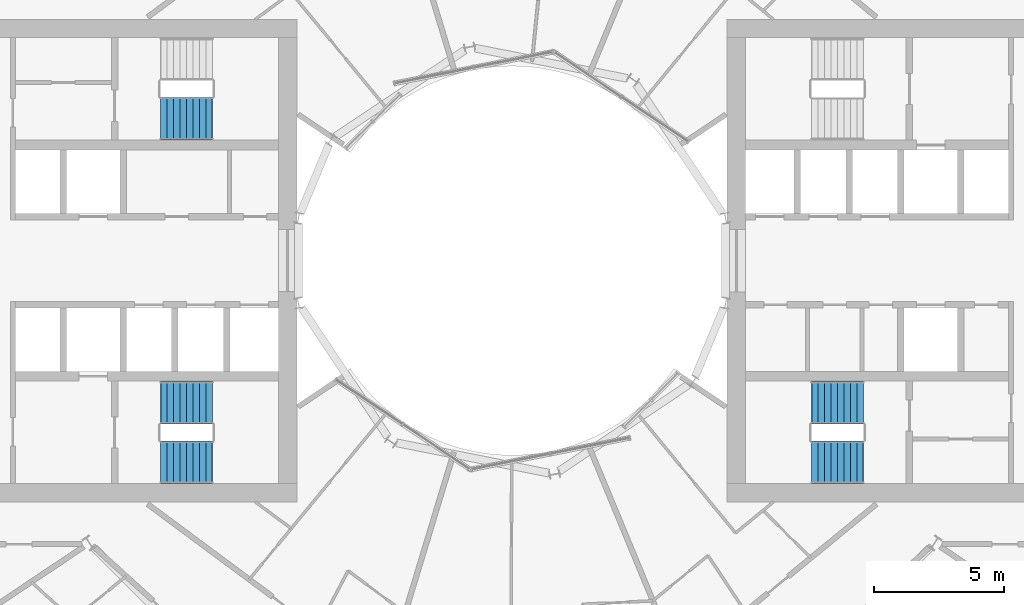
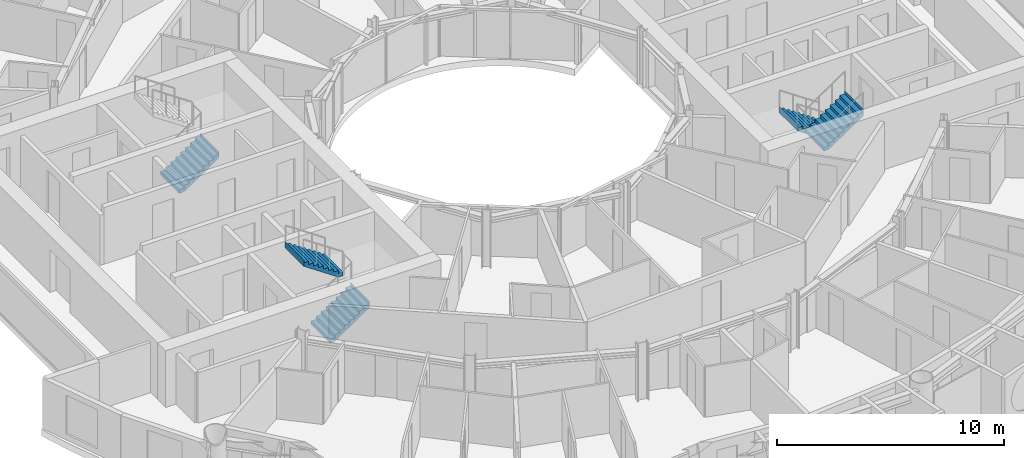
# One storey, part 23 of 26: 5 stair flights, 3 elements without a shape of their own.
"""IFC4 building model written with IfcOpenShell, lengths in metres."""

from ifc_helpers import new_model, si_unit, direction, frame, origin, place, context, subcontext, project, spatial, triangles, material, type_object, element, aggregate, save


model = new_model("IFC4")

# Units and contexts
model_context = context("Model", 3, precision=1e-05, world=origin(), true_north=direction((0.0, 1.0)))
body_context = subcontext(model_context, "Body", "Model", "MODEL_VIEW")
ifc_project = project(units=[si_unit("LENGTHUNIT", "METRE"), si_unit("AREAUNIT", "SQUARE_METRE"), si_unit("VOLUMEUNIT", "CUBIC_METRE"), si_unit("PLANEANGLEUNIT", "RADIAN"), si_unit("MASSUNIT", "GRAM", prefix="KILO")], contexts=[model_context])

# Site, building, storey
site_placement = place(None, origin())
site = spatial("IfcSite", under=ifc_project, at=site_placement, CompositionType="ELEMENT")
building_placement = place(site_placement, origin())
building = spatial("IfcBuilding", under=site, at=building_placement, Name="Maasbend Ring Residences", CompositionType="ELEMENT")
storey_placement = place(building_placement, frame((0.0, 0.0, 81.89990234375)))
storey = spatial("IfcBuildingStorey", under=building, at=storey_placement, Name="L23", CompositionType="ELEMENT", Elevation=81.89990234375)

# Stair, stair flights
ifc_material_1 = material(Name="Concrete C40/50", Category="concrete")
stair_type = type_object("IfcStairType", Name="CORE STAIR 18 RISERS", PredefinedType="HALF_TURN_STAIR", material=ifc_material_1)
stair_1_placement = place(storey_placement, origin())
stair_1 = element("IfcStair", 1, at=stair_1_placement, inside=storey, type_object=stair_type, Name="L23 Exit stair ST-E2", PredefinedType="HALF_TURN_STAIR")
ifc_material_2 = material(Name="Concrete C40/50", Category="concrete")
stair_flight_type = type_object("IfcStairFlightType", Name="CORE STAIR FLIGHT 1650", PredefinedType="STRAIGHT", material=ifc_material_2)
stair_flight_1_placement = place(storey_placement, frame((13.550048828125, -5.47509765625, 0.0), z_axis=(0.0, 0.0, 1.0), x_axis=(-1.0, 0.0, 0.0)))
stair_flight_1 = element("IfcStairFlight", 2, at=stair_flight_1_placement, type_object=stair_flight_type, Name="ST-E2 flight 1", NumberOfRisers=9, NumberOfTreads=8, PredefinedType="STRAIGHT", RiserHeight=0.169444444, TreadLength=0.25, context=body_context, shape_type="Tessellation", body=[
    triangles([(0.24072265625, 0.824951171875, -0.02001953125), (2.0029296875, 0.824951171875, 1.174560546875), (2.0029296875, 0.824951171875, 1.52490234375), (1.989990234375, 0.824951171875, 1.35546875), (1.75, 0.824951171875, 1.35546875), (1.75, 0.824951171875, 1.18603515625), (1.5, 0.824951171875, 1.18603515625), (1.5, 0.824951171875, 1.0166015625), (1.25, 0.824951171875, 1.0166015625), (1.25, 0.824951171875, 0.84716796875), (1.0, 0.824951171875, 0.84716796875), (1.0, 0.824951171875, 0.677734375), (0.75, 0.824951171875, 0.677734375), (0.75, 0.824951171875, 0.50830078125), (0.5, 0.824951171875, 0.50830078125), (0.5, 0.824951171875, 0.3388671875), (0.25, 0.824951171875, 0.3388671875), (0.25, 0.824951171875, 0.16943359375), (0.0, 0.824951171875, 0.16943359375), (0.0, 0.824951171875, 0.0), (-0.0029296875, 0.824951171875, 0.0), (-0.0029296875, 0.824951171875, -0.02001953125), (0.24072265625, 0.27490234375, -0.02001953125), (2.0029296875, 0.27490234375, 1.174560546875), (2.0029296875, 0.27490234375, 1.52490234375), (1.989990234375, 0.27490234375, 1.35546875), (1.75, 0.27490234375, 1.35546875), (1.75, 0.27490234375, 1.18603515625), (1.5, 0.27490234375, 1.18603515625), (1.5, 0.27490234375, 1.0166015625), (1.25, 0.27490234375, 1.0166015625), (1.25, 0.27490234375, 0.84716796875), (1.0, 0.27490234375, 0.84716796875), (1.0, 0.27490234375, 0.677734375), (0.75, 0.27490234375, 0.677734375), (0.75, 0.27490234375, 0.50830078125), (0.5, 0.27490234375, 0.50830078125), (0.5, 0.27490234375, 0.3388671875), (0.25, 0.27490234375, 0.3388671875), (0.25, 0.27490234375, 0.16943359375), (0.0, 0.27490234375, 0.16943359375), (0.0, 0.27490234375, 0.0), (-0.0029296875, 0.27490234375, 0.0), (-0.0029296875, 0.27490234375, -0.02001953125), (0.24072265625, -0.27490234375, -0.02001953125), (2.0029296875, -0.27490234375, 1.174560546875), (2.0029296875, -0.27490234375, 1.52490234375), (1.989990234375, -0.27490234375, 1.35546875), (1.75, -0.27490234375, 1.35546875), (1.75, -0.27490234375, 1.18603515625), (1.5, -0.27490234375, 1.18603515625), (1.5, -0.27490234375, 1.0166015625), (1.25, -0.27490234375, 1.0166015625), (1.25, -0.27490234375, 0.84716796875), (1.0, -0.27490234375, 0.84716796875), (1.0, -0.27490234375, 0.677734375), (0.75, -0.27490234375, 0.677734375), (0.75, -0.27490234375, 0.50830078125), (0.5, -0.27490234375, 0.50830078125), (0.5, -0.27490234375, 0.3388671875), (0.25, -0.27490234375, 0.3388671875), (0.25, -0.27490234375, 0.16943359375), (0.0, -0.27490234375, 0.16943359375), (0.0, -0.27490234375, 0.0), (-0.0029296875, -0.27490234375, 0.0), (-0.0029296875, -0.27490234375, -0.02001953125), (0.24072265625, -0.824951171875, -0.02001953125), (2.0029296875, -0.824951171875, 1.174560546875), (2.0029296875, -0.824951171875, 1.52490234375), (1.989990234375, -0.824951171875, 1.35546875), (1.75, -0.824951171875, 1.35546875), (1.75, -0.824951171875, 1.18603515625), (1.5, -0.824951171875, 1.18603515625), (1.5, -0.824951171875, 1.0166015625), (1.25, -0.824951171875, 1.0166015625), (1.25, -0.824951171875, 0.84716796875), (1.0, -0.824951171875, 0.84716796875), (1.0, -0.824951171875, 0.677734375), (0.75, -0.824951171875, 0.677734375), (0.75, -0.824951171875, 0.50830078125), (0.5, -0.824951171875, 0.50830078125), (0.5, -0.824951171875, 0.3388671875), (0.25, -0.824951171875, 0.3388671875), (0.25, -0.824951171875, 0.16943359375), (0.0, -0.824951171875, 0.16943359375), (0.0, -0.824951171875, 0.0), (-0.0029296875, -0.824951171875, 0.0), (-0.0029296875, -0.824951171875, -0.02001953125)], [[1, 2, 24], [1, 24, 23], [23, 24, 46], [23, 46, 45], [45, 46, 68], [45, 68, 67], [2, 3, 25], [2, 25, 24], [24, 25, 47], [24, 47, 46], [46, 47, 69], [46, 69, 68], [3, 4, 26], [3, 26, 25], [25, 26, 48], [25, 48, 47], [47, 48, 70], [47, 70, 69], [4, 5, 27], [4, 27, 26], [26, 27, 49], [26, 49, 48], [48, 49, 71], [48, 71, 70], [5, 6, 28], [5, 28, 27], [27, 28, 50], [27, 50, 49], [49, 50, 72], [49, 72, 71], [6, 7, 29], [6, 29, 28], [28, 29, 51], [28, 51, 50], [50, 51, 73], [50, 73, 72], [7, 8, 30], [7, 30, 29], [29, 30, 52], [29, 52, 51], [51, 52, 74], [51, 74, 73], [8, 9, 31], [8, 31, 30], [30, 31, 53], [30, 53, 52], [52, 53, 75], [52, 75, 74], [9, 10, 32], [9, 32, 31], [31, 32, 54], [31, 54, 53], [53, 54, 76], [53, 76, 75], [10, 11, 33], [10, 33, 32], [32, 33, 55], [32, 55, 54], [54, 55, 77], [54, 77, 76], [11, 12, 34], [11, 34, 33], [33, 34, 56], [33, 56, 55], [55, 56, 78], [55, 78, 77], [12, 13, 35], [12, 35, 34], [34, 35, 57], [34, 57, 56], [56, 57, 79], [56, 79, 78], [13, 14, 36], [13, 36, 35], [35, 36, 58], [35, 58, 57], [57, 58, 80], [57, 80, 79], [14, 15, 37], [14, 37, 36], [36, 37, 59], [36, 59, 58], [58, 59, 81], [58, 81, 80], [15, 16, 38], [15, 38, 37], [37, 38, 60], [37, 60, 59], [59, 60, 82], [59, 82, 81], [16, 17, 39], [16, 39, 38], [38, 39, 61], [38, 61, 60], [60, 61, 83], [60, 83, 82], [17, 18, 40], [17, 40, 39], [39, 40, 62], [39, 62, 61], [61, 62, 84], [61, 84, 83], [18, 19, 41], [18, 41, 40], [40, 41, 63], [40, 63, 62], [62, 63, 85], [62, 85, 84], [19, 20, 42], [19, 42, 41], [41, 42, 64], [41, 64, 63], [63, 64, 86], [63, 86, 85], [20, 21, 43], [20, 43, 42], [42, 43, 65], [42, 65, 64], [64, 65, 87], [64, 87, 86], [21, 22, 44], [21, 44, 43], [43, 44, 66], [43, 66, 65], [65, 66, 88], [65, 88, 87], [22, 1, 23], [22, 23, 44], [44, 23, 45], [44, 45, 66], [66, 45, 67], [66, 67, 88], [22, 2, 1], [2, 4, 3], [2, 5, 4], [2, 6, 5], [22, 6, 2], [6, 8, 7], [22, 8, 6], [8, 10, 9], [22, 10, 8], [10, 12, 11], [22, 12, 10], [12, 14, 13], [22, 14, 12], [14, 16, 15], [22, 16, 14], [16, 18, 17], [22, 18, 16], [18, 20, 19], [22, 20, 18], [20, 22, 21], [88, 67, 68], [68, 69, 70], [68, 70, 71], [68, 71, 72], [88, 68, 72], [72, 73, 74], [88, 72, 74], [74, 75, 76], [88, 74, 76], [76, 77, 78], [88, 76, 78], [78, 79, 80], [88, 78, 80], [80, 81, 82], [88, 80, 82], [82, 83, 84], [88, 82, 84], [84, 85, 86], [88, 84, 86], [86, 87, 88]], closed=True),
])
stair_flight_2_placement = place(storey_placement, frame((11.550048828125, -7.77490234375, 1.525146484375), z_axis=(0.0, 0.0, 1.0), x_axis=(1.0, 0.0, 0.0)))
stair_flight_2 = element("IfcStairFlight", 3, at=stair_flight_2_placement, type_object=stair_flight_type, Name="ST-E2 flight 2", NumberOfRisers=9, NumberOfTreads=8, PredefinedType="STRAIGHT", RiserHeight=0.169444444, TreadLength=0.25, context=body_context, shape_type="Tessellation", body=[
    triangles([(0.24072265625, 0.824951171875, -0.02001953125), (2.0029296875, 0.824951171875, 1.174560546875), (2.0029296875, 0.824951171875, 1.52490234375), (1.989990234375, 0.824951171875, 1.35546875), (1.75, 0.824951171875, 1.35546875), (1.75, 0.824951171875, 1.18603515625), (1.5, 0.824951171875, 1.18603515625), (1.5, 0.824951171875, 1.0166015625), (1.25, 0.824951171875, 1.0166015625), (1.25, 0.824951171875, 0.84716796875), (1.0, 0.824951171875, 0.84716796875), (1.0, 0.824951171875, 0.677734375), (0.75, 0.824951171875, 0.677734375), (0.75, 0.824951171875, 0.50830078125), (0.5, 0.824951171875, 0.50830078125), (0.5, 0.824951171875, 0.3388671875), (0.25, 0.824951171875, 0.3388671875), (0.25, 0.824951171875, 0.16943359375), (0.0, 0.824951171875, 0.16943359375), (0.0, 0.824951171875, 0.0), (-0.0029296875, 0.824951171875, 0.0), (-0.0029296875, 0.824951171875, -0.02001953125), (0.24072265625, 0.27490234375, -0.02001953125), (2.0029296875, 0.27490234375, 1.174560546875), (2.0029296875, 0.27490234375, 1.52490234375), (1.989990234375, 0.27490234375, 1.35546875), (1.75, 0.27490234375, 1.35546875), (1.75, 0.27490234375, 1.18603515625), (1.5, 0.27490234375, 1.18603515625), (1.5, 0.27490234375, 1.0166015625), (1.25, 0.27490234375, 1.0166015625), (1.25, 0.27490234375, 0.84716796875), (1.0, 0.27490234375, 0.84716796875), (1.0, 0.27490234375, 0.677734375), (0.75, 0.27490234375, 0.677734375), (0.75, 0.27490234375, 0.50830078125), (0.5, 0.27490234375, 0.50830078125), (0.5, 0.27490234375, 0.3388671875), (0.25, 0.27490234375, 0.3388671875), (0.25, 0.27490234375, 0.16943359375), (0.0, 0.27490234375, 0.16943359375), (0.0, 0.27490234375, 0.0), (-0.0029296875, 0.27490234375, 0.0), (-0.0029296875, 0.27490234375, -0.02001953125), (0.24072265625, -0.27490234375, -0.02001953125), (2.0029296875, -0.27490234375, 1.174560546875), (2.0029296875, -0.27490234375, 1.52490234375), (1.989990234375, -0.27490234375, 1.35546875), (1.75, -0.27490234375, 1.35546875), (1.75, -0.27490234375, 1.18603515625), (1.5, -0.27490234375, 1.18603515625), (1.5, -0.27490234375, 1.0166015625), (1.25, -0.27490234375, 1.0166015625), (1.25, -0.27490234375, 0.84716796875), (1.0, -0.27490234375, 0.84716796875), (1.0, -0.27490234375, 0.677734375), (0.75, -0.27490234375, 0.677734375), (0.75, -0.27490234375, 0.50830078125), (0.5, -0.27490234375, 0.50830078125), (0.5, -0.27490234375, 0.3388671875), (0.25, -0.27490234375, 0.3388671875), (0.25, -0.27490234375, 0.16943359375), (0.0, -0.27490234375, 0.16943359375), (0.0, -0.27490234375, 0.0), (-0.0029296875, -0.27490234375, 0.0), (-0.0029296875, -0.27490234375, -0.02001953125), (0.24072265625, -0.824951171875, -0.02001953125), (2.0029296875, -0.824951171875, 1.174560546875), (2.0029296875, -0.824951171875, 1.52490234375), (1.989990234375, -0.824951171875, 1.35546875), (1.75, -0.824951171875, 1.35546875), (1.75, -0.824951171875, 1.18603515625), (1.5, -0.824951171875, 1.18603515625), (1.5, -0.824951171875, 1.0166015625), (1.25, -0.824951171875, 1.0166015625), (1.25, -0.824951171875, 0.84716796875), (1.0, -0.824951171875, 0.84716796875), (1.0, -0.824951171875, 0.677734375), (0.75, -0.824951171875, 0.677734375), (0.75, -0.824951171875, 0.50830078125), (0.5, -0.824951171875, 0.50830078125), (0.5, -0.824951171875, 0.3388671875), (0.25, -0.824951171875, 0.3388671875), (0.25, -0.824951171875, 0.16943359375), (0.0, -0.824951171875, 0.16943359375), (0.0, -0.824951171875, 0.0), (-0.0029296875, -0.824951171875, 0.0), (-0.0029296875, -0.824951171875, -0.02001953125)], [[1, 2, 24], [1, 24, 23], [23, 24, 46], [23, 46, 45], [45, 46, 68], [45, 68, 67], [2, 3, 25], [2, 25, 24], [24, 25, 47], [24, 47, 46], [46, 47, 69], [46, 69, 68], [3, 4, 26], [3, 26, 25], [25, 26, 48], [25, 48, 47], [47, 48, 70], [47, 70, 69], [4, 5, 27], [4, 27, 26], [26, 27, 49], [26, 49, 48], [48, 49, 71], [48, 71, 70], [5, 6, 28], [5, 28, 27], [27, 28, 50], [27, 50, 49], [49, 50, 72], [49, 72, 71], [6, 7, 29], [6, 29, 28], [28, 29, 51], [28, 51, 50], [50, 51, 73], [50, 73, 72], [7, 8, 30], [7, 30, 29], [29, 30, 52], [29, 52, 51], [51, 52, 74], [51, 74, 73], [8, 9, 31], [8, 31, 30], [30, 31, 53], [30, 53, 52], [52, 53, 75], [52, 75, 74], [9, 10, 32], [9, 32, 31], [31, 32, 54], [31, 54, 53], [53, 54, 76], [53, 76, 75], [10, 11, 33], [10, 33, 32], [32, 33, 55], [32, 55, 54], [54, 55, 77], [54, 77, 76], [11, 12, 34], [11, 34, 33], [33, 34, 56], [33, 56, 55], [55, 56, 78], [55, 78, 77], [12, 13, 35], [12, 35, 34], [34, 35, 57], [34, 57, 56], [56, 57, 79], [56, 79, 78], [13, 14, 36], [13, 36, 35], [35, 36, 58], [35, 58, 57], [57, 58, 80], [57, 80, 79], [14, 15, 37], [14, 37, 36], [36, 37, 59], [36, 59, 58], [58, 59, 81], [58, 81, 80], [15, 16, 38], [15, 38, 37], [37, 38, 60], [37, 60, 59], [59, 60, 82], [59, 82, 81], [16, 17, 39], [16, 39, 38], [38, 39, 61], [38, 61, 60], [60, 61, 83], [60, 83, 82], [17, 18, 40], [17, 40, 39], [39, 40, 62], [39, 62, 61], [61, 62, 84], [61, 84, 83], [18, 19, 41], [18, 41, 40], [40, 41, 63], [40, 63, 62], [62, 63, 85], [62, 85, 84], [19, 20, 42], [19, 42, 41], [41, 42, 64], [41, 64, 63], [63, 64, 86], [63, 86, 85], [20, 21, 43], [20, 43, 42], [42, 43, 65], [42, 65, 64], [64, 65, 87], [64, 87, 86], [21, 22, 44], [21, 44, 43], [43, 44, 66], [43, 66, 65], [65, 66, 88], [65, 88, 87], [22, 1, 23], [22, 23, 44], [44, 23, 45], [44, 45, 66], [66, 45, 67], [66, 67, 88], [22, 2, 1], [2, 4, 3], [2, 5, 4], [2, 6, 5], [22, 6, 2], [6, 8, 7], [22, 8, 6], [8, 10, 9], [22, 10, 8], [10, 12, 11], [22, 12, 10], [12, 14, 13], [22, 14, 12], [14, 16, 15], [22, 16, 14], [16, 18, 17], [22, 18, 16], [18, 20, 19], [22, 20, 18], [20, 22, 21], [88, 67, 68], [68, 69, 70], [68, 70, 71], [68, 71, 72], [88, 68, 72], [72, 73, 74], [88, 72, 74], [74, 75, 76], [88, 74, 76], [76, 77, 78], [88, 76, 78], [78, 79, 80], [88, 78, 80], [80, 81, 82], [88, 80, 82], [82, 83, 84], [88, 82, 84], [84, 85, 86], [88, 84, 86], [86, 87, 88]], closed=True),
])
aggregate(stair_1, [stair_flight_1, stair_flight_2])

stair_2_placement = place(storey_placement, origin())
stair_2 = element("IfcStair", 4, at=stair_2_placement, inside=storey, type_object=stair_type, Name="L23 Exit stair ST-W1", PredefinedType="HALF_TURN_STAIR")
stair_flight_3_placement = place(storey_placement, frame((-13.550048828125, -7.77490234375, 0.0), z_axis=(0.0, 0.0, 1.0), x_axis=(1.0, 0.0, 0.0)))
stair_flight_3 = element("IfcStairFlight", 5, at=stair_flight_3_placement, type_object=stair_flight_type, Name="ST-W1 flight 1", NumberOfRisers=9, NumberOfTreads=8, PredefinedType="STRAIGHT", RiserHeight=0.169444444, TreadLength=0.25, context=body_context, shape_type="Tessellation", body=[
    triangles([(0.24072265625, 0.824951171875, -0.02001953125), (2.0029296875, 0.824951171875, 1.174560546875), (2.0029296875, 0.824951171875, 1.52490234375), (1.989990234375, 0.824951171875, 1.35546875), (1.75, 0.824951171875, 1.35546875), (1.75, 0.824951171875, 1.18603515625), (1.5, 0.824951171875, 1.18603515625), (1.5, 0.824951171875, 1.0166015625), (1.25, 0.824951171875, 1.0166015625), (1.25, 0.824951171875, 0.84716796875), (1.0, 0.824951171875, 0.84716796875), (1.0, 0.824951171875, 0.677734375), (0.75, 0.824951171875, 0.677734375), (0.75, 0.824951171875, 0.50830078125), (0.5, 0.824951171875, 0.50830078125), (0.5, 0.824951171875, 0.3388671875), (0.25, 0.824951171875, 0.3388671875), (0.25, 0.824951171875, 0.16943359375), (0.0, 0.824951171875, 0.16943359375), (0.0, 0.824951171875, 0.0), (-0.0029296875, 0.824951171875, 0.0), (-0.0029296875, 0.824951171875, -0.02001953125), (0.24072265625, 0.27490234375, -0.02001953125), (2.0029296875, 0.27490234375, 1.174560546875), (2.0029296875, 0.27490234375, 1.52490234375), (1.989990234375, 0.27490234375, 1.35546875), (1.75, 0.27490234375, 1.35546875), (1.75, 0.27490234375, 1.18603515625), (1.5, 0.27490234375, 1.18603515625), (1.5, 0.27490234375, 1.0166015625), (1.25, 0.27490234375, 1.0166015625), (1.25, 0.27490234375, 0.84716796875), (1.0, 0.27490234375, 0.84716796875), (1.0, 0.27490234375, 0.677734375), (0.75, 0.27490234375, 0.677734375), (0.75, 0.27490234375, 0.50830078125), (0.5, 0.27490234375, 0.50830078125), (0.5, 0.27490234375, 0.3388671875), (0.25, 0.27490234375, 0.3388671875), (0.25, 0.27490234375, 0.16943359375), (0.0, 0.27490234375, 0.16943359375), (0.0, 0.27490234375, 0.0), (-0.0029296875, 0.27490234375, 0.0), (-0.0029296875, 0.27490234375, -0.02001953125), (0.24072265625, -0.27490234375, -0.02001953125), (2.0029296875, -0.27490234375, 1.174560546875), (2.0029296875, -0.27490234375, 1.52490234375), (1.989990234375, -0.27490234375, 1.35546875), (1.75, -0.27490234375, 1.35546875), (1.75, -0.27490234375, 1.18603515625), (1.5, -0.27490234375, 1.18603515625), (1.5, -0.27490234375, 1.0166015625), (1.25, -0.27490234375, 1.0166015625), (1.25, -0.27490234375, 0.84716796875), (1.0, -0.27490234375, 0.84716796875), (1.0, -0.27490234375, 0.677734375), (0.75, -0.27490234375, 0.677734375), (0.75, -0.27490234375, 0.50830078125), (0.5, -0.27490234375, 0.50830078125), (0.5, -0.27490234375, 0.3388671875), (0.25, -0.27490234375, 0.3388671875), (0.25, -0.27490234375, 0.16943359375), (0.0, -0.27490234375, 0.16943359375), (0.0, -0.27490234375, 0.0), (-0.0029296875, -0.27490234375, 0.0), (-0.0029296875, -0.27490234375, -0.02001953125), (0.24072265625, -0.824951171875, -0.02001953125), (2.0029296875, -0.824951171875, 1.174560546875), (2.0029296875, -0.824951171875, 1.52490234375), (1.989990234375, -0.824951171875, 1.35546875), (1.75, -0.824951171875, 1.35546875), (1.75, -0.824951171875, 1.18603515625), (1.5, -0.824951171875, 1.18603515625), (1.5, -0.824951171875, 1.0166015625), (1.25, -0.824951171875, 1.0166015625), (1.25, -0.824951171875, 0.84716796875), (1.0, -0.824951171875, 0.84716796875), (1.0, -0.824951171875, 0.677734375), (0.75, -0.824951171875, 0.677734375), (0.75, -0.824951171875, 0.50830078125), (0.5, -0.824951171875, 0.50830078125), (0.5, -0.824951171875, 0.3388671875), (0.25, -0.824951171875, 0.3388671875), (0.25, -0.824951171875, 0.16943359375), (0.0, -0.824951171875, 0.16943359375), (0.0, -0.824951171875, 0.0), (-0.0029296875, -0.824951171875, 0.0), (-0.0029296875, -0.824951171875, -0.02001953125)], [[1, 2, 24], [1, 24, 23], [23, 24, 46], [23, 46, 45], [45, 46, 68], [45, 68, 67], [2, 3, 25], [2, 25, 24], [24, 25, 47], [24, 47, 46], [46, 47, 69], [46, 69, 68], [3, 4, 26], [3, 26, 25], [25, 26, 48], [25, 48, 47], [47, 48, 70], [47, 70, 69], [4, 5, 27], [4, 27, 26], [26, 27, 49], [26, 49, 48], [48, 49, 71], [48, 71, 70], [5, 6, 28], [5, 28, 27], [27, 28, 50], [27, 50, 49], [49, 50, 72], [49, 72, 71], [6, 7, 29], [6, 29, 28], [28, 29, 51], [28, 51, 50], [50, 51, 73], [50, 73, 72], [7, 8, 30], [7, 30, 29], [29, 30, 52], [29, 52, 51], [51, 52, 74], [51, 74, 73], [8, 9, 31], [8, 31, 30], [30, 31, 53], [30, 53, 52], [52, 53, 75], [52, 75, 74], [9, 10, 32], [9, 32, 31], [31, 32, 54], [31, 54, 53], [53, 54, 76], [53, 76, 75], [10, 11, 33], [10, 33, 32], [32, 33, 55], [32, 55, 54], [54, 55, 77], [54, 77, 76], [11, 12, 34], [11, 34, 33], [33, 34, 56], [33, 56, 55], [55, 56, 78], [55, 78, 77], [12, 13, 35], [12, 35, 34], [34, 35, 57], [34, 57, 56], [56, 57, 79], [56, 79, 78], [13, 14, 36], [13, 36, 35], [35, 36, 58], [35, 58, 57], [57, 58, 80], [57, 80, 79], [14, 15, 37], [14, 37, 36], [36, 37, 59], [36, 59, 58], [58, 59, 81], [58, 81, 80], [15, 16, 38], [15, 38, 37], [37, 38, 60], [37, 60, 59], [59, 60, 82], [59, 82, 81], [16, 17, 39], [16, 39, 38], [38, 39, 61], [38, 61, 60], [60, 61, 83], [60, 83, 82], [17, 18, 40], [17, 40, 39], [39, 40, 62], [39, 62, 61], [61, 62, 84], [61, 84, 83], [18, 19, 41], [18, 41, 40], [40, 41, 63], [40, 63, 62], [62, 63, 85], [62, 85, 84], [19, 20, 42], [19, 42, 41], [41, 42, 64], [41, 64, 63], [63, 64, 86], [63, 86, 85], [20, 21, 43], [20, 43, 42], [42, 43, 65], [42, 65, 64], [64, 65, 87], [64, 87, 86], [21, 22, 44], [21, 44, 43], [43, 44, 66], [43, 66, 65], [65, 66, 88], [65, 88, 87], [22, 1, 23], [22, 23, 44], [44, 23, 45], [44, 45, 66], [66, 45, 67], [66, 67, 88], [22, 2, 1], [2, 4, 3], [2, 5, 4], [2, 6, 5], [22, 6, 2], [6, 8, 7], [22, 8, 6], [8, 10, 9], [22, 10, 8], [10, 12, 11], [22, 12, 10], [12, 14, 13], [22, 14, 12], [14, 16, 15], [22, 16, 14], [16, 18, 17], [22, 18, 16], [18, 20, 19], [22, 20, 18], [20, 22, 21], [88, 67, 68], [68, 69, 70], [68, 70, 71], [68, 71, 72], [88, 68, 72], [72, 73, 74], [88, 72, 74], [74, 75, 76], [88, 74, 76], [76, 77, 78], [88, 76, 78], [78, 79, 80], [88, 78, 80], [80, 81, 82], [88, 80, 82], [82, 83, 84], [88, 82, 84], [84, 85, 86], [88, 84, 86], [86, 87, 88]], closed=True),
])
stair_flight_4_placement = place(storey_placement, frame((-11.550048828125, -5.47509765625, 1.525146484375), z_axis=(0.0, 0.0, 1.0), x_axis=(-1.0, 0.0, 0.0)))
stair_flight_4 = element("IfcStairFlight", 6, at=stair_flight_4_placement, type_object=stair_flight_type, Name="ST-W1 flight 2", NumberOfRisers=9, NumberOfTreads=8, PredefinedType="STRAIGHT", RiserHeight=0.169444444, TreadLength=0.25, context=body_context, shape_type="Tessellation", body=[
    triangles([(0.24072265625, 0.824951171875, -0.02001953125), (2.0029296875, 0.824951171875, 1.174560546875), (2.0029296875, 0.824951171875, 1.52490234375), (1.989990234375, 0.824951171875, 1.35546875), (1.75, 0.824951171875, 1.35546875), (1.75, 0.824951171875, 1.18603515625), (1.5, 0.824951171875, 1.18603515625), (1.5, 0.824951171875, 1.0166015625), (1.25, 0.824951171875, 1.0166015625), (1.25, 0.824951171875, 0.84716796875), (1.0, 0.824951171875, 0.84716796875), (1.0, 0.824951171875, 0.677734375), (0.75, 0.824951171875, 0.677734375), (0.75, 0.824951171875, 0.50830078125), (0.5, 0.824951171875, 0.50830078125), (0.5, 0.824951171875, 0.3388671875), (0.25, 0.824951171875, 0.3388671875), (0.25, 0.824951171875, 0.16943359375), (0.0, 0.824951171875, 0.16943359375), (0.0, 0.824951171875, 0.0), (-0.0029296875, 0.824951171875, 0.0), (-0.0029296875, 0.824951171875, -0.02001953125), (0.24072265625, 0.27490234375, -0.02001953125), (2.0029296875, 0.27490234375, 1.174560546875), (2.0029296875, 0.27490234375, 1.52490234375), (1.989990234375, 0.27490234375, 1.35546875), (1.75, 0.27490234375, 1.35546875), (1.75, 0.27490234375, 1.18603515625), (1.5, 0.27490234375, 1.18603515625), (1.5, 0.27490234375, 1.0166015625), (1.25, 0.27490234375, 1.0166015625), (1.25, 0.27490234375, 0.84716796875), (1.0, 0.27490234375, 0.84716796875), (1.0, 0.27490234375, 0.677734375), (0.75, 0.27490234375, 0.677734375), (0.75, 0.27490234375, 0.50830078125), (0.5, 0.27490234375, 0.50830078125), (0.5, 0.27490234375, 0.3388671875), (0.25, 0.27490234375, 0.3388671875), (0.25, 0.27490234375, 0.16943359375), (0.0, 0.27490234375, 0.16943359375), (0.0, 0.27490234375, 0.0), (-0.0029296875, 0.27490234375, 0.0), (-0.0029296875, 0.27490234375, -0.02001953125), (0.24072265625, -0.27490234375, -0.02001953125), (2.0029296875, -0.27490234375, 1.174560546875), (2.0029296875, -0.27490234375, 1.52490234375), (1.989990234375, -0.27490234375, 1.35546875), (1.75, -0.27490234375, 1.35546875), (1.75, -0.27490234375, 1.18603515625), (1.5, -0.27490234375, 1.18603515625), (1.5, -0.27490234375, 1.0166015625), (1.25, -0.27490234375, 1.0166015625), (1.25, -0.27490234375, 0.84716796875), (1.0, -0.27490234375, 0.84716796875), (1.0, -0.27490234375, 0.677734375), (0.75, -0.27490234375, 0.677734375), (0.75, -0.27490234375, 0.50830078125), (0.5, -0.27490234375, 0.50830078125), (0.5, -0.27490234375, 0.3388671875), (0.25, -0.27490234375, 0.3388671875), (0.25, -0.27490234375, 0.16943359375), (0.0, -0.27490234375, 0.16943359375), (0.0, -0.27490234375, 0.0), (-0.0029296875, -0.27490234375, 0.0), (-0.0029296875, -0.27490234375, -0.02001953125), (0.24072265625, -0.824951171875, -0.02001953125), (2.0029296875, -0.824951171875, 1.174560546875), (2.0029296875, -0.824951171875, 1.52490234375), (1.989990234375, -0.824951171875, 1.35546875), (1.75, -0.824951171875, 1.35546875), (1.75, -0.824951171875, 1.18603515625), (1.5, -0.824951171875, 1.18603515625), (1.5, -0.824951171875, 1.0166015625), (1.25, -0.824951171875, 1.0166015625), (1.25, -0.824951171875, 0.84716796875), (1.0, -0.824951171875, 0.84716796875), (1.0, -0.824951171875, 0.677734375), (0.75, -0.824951171875, 0.677734375), (0.75, -0.824951171875, 0.50830078125), (0.5, -0.824951171875, 0.50830078125), (0.5, -0.824951171875, 0.3388671875), (0.25, -0.824951171875, 0.3388671875), (0.25, -0.824951171875, 0.16943359375), (0.0, -0.824951171875, 0.16943359375), (0.0, -0.824951171875, 0.0), (-0.0029296875, -0.824951171875, 0.0), (-0.0029296875, -0.824951171875, -0.02001953125)], [[1, 2, 24], [1, 24, 23], [23, 24, 46], [23, 46, 45], [45, 46, 68], [45, 68, 67], [2, 3, 25], [2, 25, 24], [24, 25, 47], [24, 47, 46], [46, 47, 69], [46, 69, 68], [3, 4, 26], [3, 26, 25], [25, 26, 48], [25, 48, 47], [47, 48, 70], [47, 70, 69], [4, 5, 27], [4, 27, 26], [26, 27, 49], [26, 49, 48], [48, 49, 71], [48, 71, 70], [5, 6, 28], [5, 28, 27], [27, 28, 50], [27, 50, 49], [49, 50, 72], [49, 72, 71], [6, 7, 29], [6, 29, 28], [28, 29, 51], [28, 51, 50], [50, 51, 73], [50, 73, 72], [7, 8, 30], [7, 30, 29], [29, 30, 52], [29, 52, 51], [51, 52, 74], [51, 74, 73], [8, 9, 31], [8, 31, 30], [30, 31, 53], [30, 53, 52], [52, 53, 75], [52, 75, 74], [9, 10, 32], [9, 32, 31], [31, 32, 54], [31, 54, 53], [53, 54, 76], [53, 76, 75], [10, 11, 33], [10, 33, 32], [32, 33, 55], [32, 55, 54], [54, 55, 77], [54, 77, 76], [11, 12, 34], [11, 34, 33], [33, 34, 56], [33, 56, 55], [55, 56, 78], [55, 78, 77], [12, 13, 35], [12, 35, 34], [34, 35, 57], [34, 57, 56], [56, 57, 79], [56, 79, 78], [13, 14, 36], [13, 36, 35], [35, 36, 58], [35, 58, 57], [57, 58, 80], [57, 80, 79], [14, 15, 37], [14, 37, 36], [36, 37, 59], [36, 59, 58], [58, 59, 81], [58, 81, 80], [15, 16, 38], [15, 38, 37], [37, 38, 60], [37, 60, 59], [59, 60, 82], [59, 82, 81], [16, 17, 39], [16, 39, 38], [38, 39, 61], [38, 61, 60], [60, 61, 83], [60, 83, 82], [17, 18, 40], [17, 40, 39], [39, 40, 62], [39, 62, 61], [61, 62, 84], [61, 84, 83], [18, 19, 41], [18, 41, 40], [40, 41, 63], [40, 63, 62], [62, 63, 85], [62, 85, 84], [19, 20, 42], [19, 42, 41], [41, 42, 64], [41, 64, 63], [63, 64, 86], [63, 86, 85], [20, 21, 43], [20, 43, 42], [42, 43, 65], [42, 65, 64], [64, 65, 87], [64, 87, 86], [21, 22, 44], [21, 44, 43], [43, 44, 66], [43, 66, 65], [65, 66, 88], [65, 88, 87], [22, 1, 23], [22, 23, 44], [44, 23, 45], [44, 45, 66], [66, 45, 67], [66, 67, 88], [22, 2, 1], [2, 4, 3], [2, 5, 4], [2, 6, 5], [22, 6, 2], [6, 8, 7], [22, 8, 6], [8, 10, 9], [22, 10, 8], [10, 12, 11], [22, 12, 10], [12, 14, 13], [22, 14, 12], [14, 16, 15], [22, 16, 14], [16, 18, 17], [22, 18, 16], [18, 20, 19], [22, 20, 18], [20, 22, 21], [88, 67, 68], [68, 69, 70], [68, 70, 71], [68, 71, 72], [88, 68, 72], [72, 73, 74], [88, 72, 74], [74, 75, 76], [88, 74, 76], [76, 77, 78], [88, 76, 78], [78, 79, 80], [88, 78, 80], [80, 81, 82], [88, 80, 82], [82, 83, 84], [88, 82, 84], [84, 85, 86], [88, 84, 86], [86, 87, 88]], closed=True),
])
aggregate(stair_2, [stair_flight_3, stair_flight_4])

# Stair, stair flight
stair_3_placement = place(storey_placement, origin())
stair_3 = element("IfcStair", 7, at=stair_3_placement, inside=storey, type_object=stair_type, Name="L23 Exit stair ST-W2", PredefinedType="HALF_TURN_STAIR")
stair_flight_5_placement = place(storey_placement, frame((-13.550048828125, 5.47509765625, 0.0), z_axis=(0.0, 0.0, 1.0), x_axis=(1.0, 0.0, 0.0)))
stair_flight_5 = element("IfcStairFlight", 8, at=stair_flight_5_placement, type_object=stair_flight_type, Name="ST-W2 flight 1", NumberOfRisers=9, NumberOfTreads=8, PredefinedType="STRAIGHT", RiserHeight=0.169444444, TreadLength=0.25, context=body_context, shape_type="Tessellation", body=[
    triangles([(0.24072265625, 0.824951171875, -0.02001953125), (2.0029296875, 0.824951171875, 1.174560546875), (2.0029296875, 0.824951171875, 1.52490234375), (1.989990234375, 0.824951171875, 1.35546875), (1.75, 0.824951171875, 1.35546875), (1.75, 0.824951171875, 1.18603515625), (1.5, 0.824951171875, 1.18603515625), (1.5, 0.824951171875, 1.0166015625), (1.25, 0.824951171875, 1.0166015625), (1.25, 0.824951171875, 0.84716796875), (1.0, 0.824951171875, 0.84716796875), (1.0, 0.824951171875, 0.677734375), (0.75, 0.824951171875, 0.677734375), (0.75, 0.824951171875, 0.50830078125), (0.5, 0.824951171875, 0.50830078125), (0.5, 0.824951171875, 0.3388671875), (0.25, 0.824951171875, 0.3388671875), (0.25, 0.824951171875, 0.16943359375), (0.0, 0.824951171875, 0.16943359375), (0.0, 0.824951171875, 0.0), (-0.0029296875, 0.824951171875, 0.0), (-0.0029296875, 0.824951171875, -0.02001953125), (0.24072265625, 0.27490234375, -0.02001953125), (2.0029296875, 0.27490234375, 1.174560546875), (2.0029296875, 0.27490234375, 1.52490234375), (1.989990234375, 0.27490234375, 1.35546875), (1.75, 0.27490234375, 1.35546875), (1.75, 0.27490234375, 1.18603515625), (1.5, 0.27490234375, 1.18603515625), (1.5, 0.27490234375, 1.0166015625), (1.25, 0.27490234375, 1.0166015625), (1.25, 0.27490234375, 0.84716796875), (1.0, 0.27490234375, 0.84716796875), (1.0, 0.27490234375, 0.677734375), (0.75, 0.27490234375, 0.677734375), (0.75, 0.27490234375, 0.50830078125), (0.5, 0.27490234375, 0.50830078125), (0.5, 0.27490234375, 0.3388671875), (0.25, 0.27490234375, 0.3388671875), (0.25, 0.27490234375, 0.16943359375), (0.0, 0.27490234375, 0.16943359375), (0.0, 0.27490234375, 0.0), (-0.0029296875, 0.27490234375, 0.0), (-0.0029296875, 0.27490234375, -0.02001953125), (0.24072265625, -0.27490234375, -0.02001953125), (2.0029296875, -0.27490234375, 1.174560546875), (2.0029296875, -0.27490234375, 1.52490234375), (1.989990234375, -0.27490234375, 1.35546875), (1.75, -0.27490234375, 1.35546875), (1.75, -0.27490234375, 1.18603515625), (1.5, -0.27490234375, 1.18603515625), (1.5, -0.27490234375, 1.0166015625), (1.25, -0.27490234375, 1.0166015625), (1.25, -0.27490234375, 0.84716796875), (1.0, -0.27490234375, 0.84716796875), (1.0, -0.27490234375, 0.677734375), (0.75, -0.27490234375, 0.677734375), (0.75, -0.27490234375, 0.50830078125), (0.5, -0.27490234375, 0.50830078125), (0.5, -0.27490234375, 0.3388671875), (0.25, -0.27490234375, 0.3388671875), (0.25, -0.27490234375, 0.16943359375), (0.0, -0.27490234375, 0.16943359375), (0.0, -0.27490234375, 0.0), (-0.0029296875, -0.27490234375, 0.0), (-0.0029296875, -0.27490234375, -0.02001953125), (0.24072265625, -0.824951171875, -0.02001953125), (2.0029296875, -0.824951171875, 1.174560546875), (2.0029296875, -0.824951171875, 1.52490234375), (1.989990234375, -0.824951171875, 1.35546875), (1.75, -0.824951171875, 1.35546875), (1.75, -0.824951171875, 1.18603515625), (1.5, -0.824951171875, 1.18603515625), (1.5, -0.824951171875, 1.0166015625), (1.25, -0.824951171875, 1.0166015625), (1.25, -0.824951171875, 0.84716796875), (1.0, -0.824951171875, 0.84716796875), (1.0, -0.824951171875, 0.677734375), (0.75, -0.824951171875, 0.677734375), (0.75, -0.824951171875, 0.50830078125), (0.5, -0.824951171875, 0.50830078125), (0.5, -0.824951171875, 0.3388671875), (0.25, -0.824951171875, 0.3388671875), (0.25, -0.824951171875, 0.16943359375), (0.0, -0.824951171875, 0.16943359375), (0.0, -0.824951171875, 0.0), (-0.0029296875, -0.824951171875, 0.0), (-0.0029296875, -0.824951171875, -0.02001953125)], [[1, 2, 24], [1, 24, 23], [23, 24, 46], [23, 46, 45], [45, 46, 68], [45, 68, 67], [2, 3, 25], [2, 25, 24], [24, 25, 47], [24, 47, 46], [46, 47, 69], [46, 69, 68], [3, 4, 26], [3, 26, 25], [25, 26, 48], [25, 48, 47], [47, 48, 70], [47, 70, 69], [4, 5, 27], [4, 27, 26], [26, 27, 49], [26, 49, 48], [48, 49, 71], [48, 71, 70], [5, 6, 28], [5, 28, 27], [27, 28, 50], [27, 50, 49], [49, 50, 72], [49, 72, 71], [6, 7, 29], [6, 29, 28], [28, 29, 51], [28, 51, 50], [50, 51, 73], [50, 73, 72], [7, 8, 30], [7, 30, 29], [29, 30, 52], [29, 52, 51], [51, 52, 74], [51, 74, 73], [8, 9, 31], [8, 31, 30], [30, 31, 53], [30, 53, 52], [52, 53, 75], [52, 75, 74], [9, 10, 32], [9, 32, 31], [31, 32, 54], [31, 54, 53], [53, 54, 76], [53, 76, 75], [10, 11, 33], [10, 33, 32], [32, 33, 55], [32, 55, 54], [54, 55, 77], [54, 77, 76], [11, 12, 34], [11, 34, 33], [33, 34, 56], [33, 56, 55], [55, 56, 78], [55, 78, 77], [12, 13, 35], [12, 35, 34], [34, 35, 57], [34, 57, 56], [56, 57, 79], [56, 79, 78], [13, 14, 36], [13, 36, 35], [35, 36, 58], [35, 58, 57], [57, 58, 80], [57, 80, 79], [14, 15, 37], [14, 37, 36], [36, 37, 59], [36, 59, 58], [58, 59, 81], [58, 81, 80], [15, 16, 38], [15, 38, 37], [37, 38, 60], [37, 60, 59], [59, 60, 82], [59, 82, 81], [16, 17, 39], [16, 39, 38], [38, 39, 61], [38, 61, 60], [60, 61, 83], [60, 83, 82], [17, 18, 40], [17, 40, 39], [39, 40, 62], [39, 62, 61], [61, 62, 84], [61, 84, 83], [18, 19, 41], [18, 41, 40], [40, 41, 63], [40, 63, 62], [62, 63, 85], [62, 85, 84], [19, 20, 42], [19, 42, 41], [41, 42, 64], [41, 64, 63], [63, 64, 86], [63, 86, 85], [20, 21, 43], [20, 43, 42], [42, 43, 65], [42, 65, 64], [64, 65, 87], [64, 87, 86], [21, 22, 44], [21, 44, 43], [43, 44, 66], [43, 66, 65], [65, 66, 88], [65, 88, 87], [22, 1, 23], [22, 23, 44], [44, 23, 45], [44, 45, 66], [66, 45, 67], [66, 67, 88], [22, 2, 1], [2, 4, 3], [2, 5, 4], [2, 6, 5], [22, 6, 2], [6, 8, 7], [22, 8, 6], [8, 10, 9], [22, 10, 8], [10, 12, 11], [22, 12, 10], [12, 14, 13], [22, 14, 12], [14, 16, 15], [22, 16, 14], [16, 18, 17], [22, 18, 16], [18, 20, 19], [22, 20, 18], [20, 22, 21], [88, 67, 68], [68, 69, 70], [68, 70, 71], [68, 71, 72], [88, 68, 72], [72, 73, 74], [88, 72, 74], [74, 75, 76], [88, 74, 76], [76, 77, 78], [88, 76, 78], [78, 79, 80], [88, 78, 80], [80, 81, 82], [88, 80, 82], [82, 83, 84], [88, 82, 84], [84, 85, 86], [88, 84, 86], [86, 87, 88]], closed=True),
])
aggregate(stair_3, [stair_flight_5])

save(model, "model.ifc")
